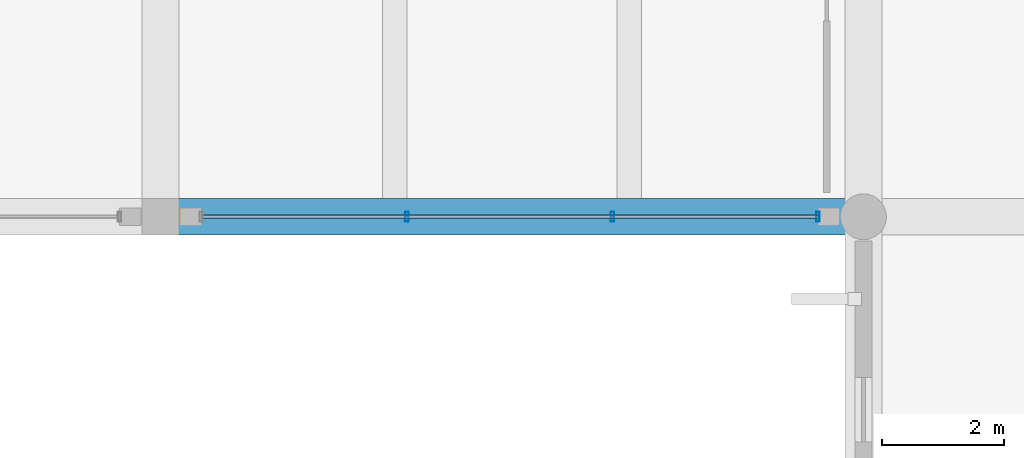
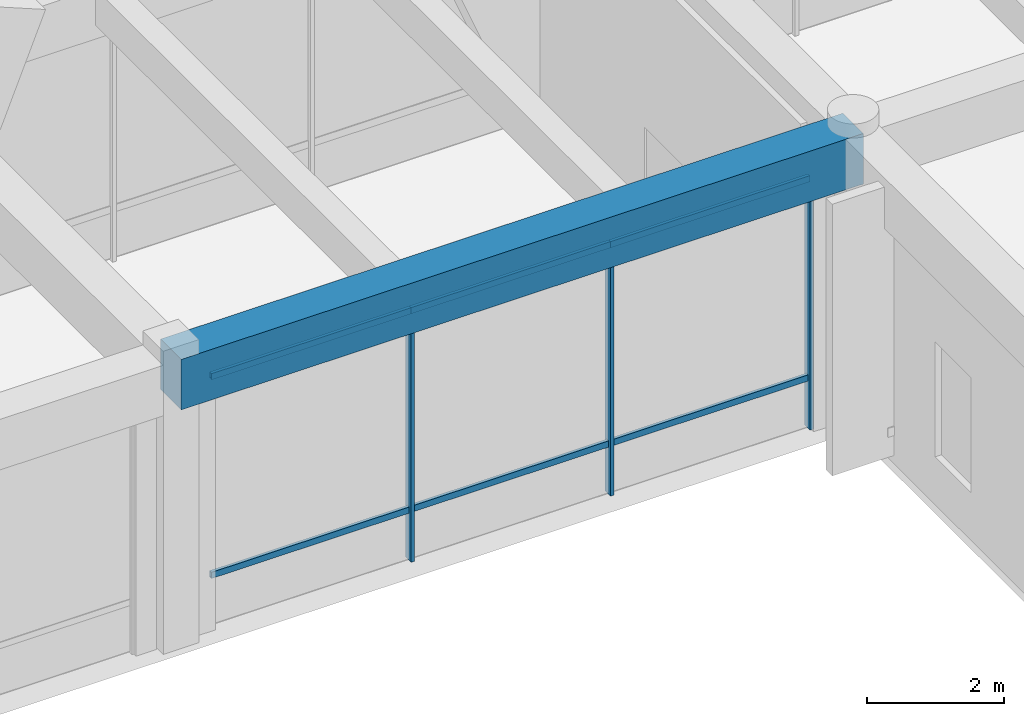
# One storey, part 19 of 148: 9 members, 1 beam, 1 element without a shape of its own.
"""IFC4 building model written with IfcOpenShell, lengths in metres."""

from ifc_helpers import new_model, si_unit, direction, frame, origin, origin_2d, place, context, subcontext, project, spatial, rectangle, hollow_rectangle, extrude, material, material_profile, profile_set, type_object, element, aggregate, save


model = new_model("IFC4")

# Units and contexts
model_context = context("Model", 3, precision=1e-05, world=origin(), true_north=direction((0.0, 1.0)))
body_context = subcontext(model_context, "Body", "Model", "MODEL_VIEW")
ifc_project = project(units=[si_unit("LENGTHUNIT", "METRE"), si_unit("AREAUNIT", "SQUARE_METRE"), si_unit("VOLUMEUNIT", "CUBIC_METRE"), si_unit("PLANEANGLEUNIT", "RADIAN"), si_unit("MASSUNIT", "GRAM", prefix="KILO")], contexts=[model_context])

# Site, building, storey
site_placement = place(None, origin())
site = spatial("IfcSite", under=ifc_project, at=site_placement, CompositionType="ELEMENT")
building_placement = place(site_placement, origin())
building = spatial("IfcBuilding", under=site, at=building_placement, Name="Ologun Quay Terminus", CompositionType="ELEMENT")
storey_placement = place(building_placement, frame((0.0, 0.0, 8.39990234375)))
storey = spatial("IfcBuildingStorey", under=building, at=storey_placement, Name="L02", CompositionType="ELEMENT", Elevation=8.39990234375)

# Curtain wall, members
ifc_material_1 = material(Name="Aluminium 6063-T6", Category="aluminium")
curtain_wall_type = type_object("IfcCurtainWallType", Name="Concourse Departure Curtain Wall 10700x4950", PredefinedType="USERDEFINED", material=ifc_material_1)
curtain_wall_placement = place(storey_placement, origin())
curtain_wall = element("IfcCurtainWall", 1, at=curtain_wall_placement, inside=storey, type_object=curtain_wall_type, Name="CW-05 Curtain Wall CW-L02-023", ObjectType="UNITISED CURTAIN WALL", PredefinedType="USERDEFINED")
ifc_material_2 = material(Name="Aluminium 6063-T6", Category="aluminium")
ifc_material_profile_1 = material_profile(ifc_material_2, hollow_rectangle(XDim=0.06005859375, YDim=0.159912109375, WallThickness=0.00390625, at=origin_2d()), Name="ALU 160x60x4")
ifc_profile_set_1 = profile_set([ifc_material_profile_1], Name="Aluminium 6063-T6")
member_type_1 = type_object("IfcMemberType", Name="Curtain Wall Standard Mullion 160x65", PredefinedType="MULLION", material=ifc_profile_set_1)
member_1_placement = place(storey_placement, frame((50.03173828125, 27.199951171875, 0.0), z_axis=(0.0, 0.0, 1.0), x_axis=(1.0, 0.0, 0.0)))
member_1 = element("IfcMember", 2, at=member_1_placement, type_object=member_type_1, Name="CW-L02-023 Mullion 2", PredefinedType="MULLION", context=body_context, shape_type="SweptSolid", body=[
    extrude(hollow_rectangle(XDim=0.06005859375, YDim=0.159912109375, WallThickness=0.00390625, at=origin_2d()), origin(), (0.0, 0.0, 1.0), 5.14013671875),
])
member_2_placement = place(storey_placement, frame((53.393310546875, 27.199951171875, 0.0), z_axis=(0.0, 0.0, 1.0), x_axis=(1.0, 0.0, 0.0)))
member_2 = element("IfcMember", 3, at=member_2_placement, type_object=member_type_1, Name="CW-L02-023 Mullion 3", PredefinedType="MULLION", context=body_context, shape_type="SweptSolid", body=[
    extrude(hollow_rectangle(XDim=0.06005859375, YDim=0.159912109375, WallThickness=0.00390625, at=origin_2d()), origin(), (0.0, 0.0, 1.0), 5.14013671875),
])
member_3_placement = place(storey_placement, frame((56.7548828125, 27.199951171875, 0.0), z_axis=(0.0, 0.0, 1.0), x_axis=(1.0, 0.0, 0.0)))
member_3 = element("IfcMember", 4, at=member_3_placement, type_object=member_type_1, Name="CW-L02-023 Mullion 4", PredefinedType="MULLION", context=body_context, shape_type="SweptSolid", body=[
    extrude(hollow_rectangle(XDim=0.06005859375, YDim=0.159912109375, WallThickness=0.00390625, at=origin_2d()), origin(), (0.0, 0.0, 1.0), 5.14013671875),
])
ifc_material_3 = material(Name="Aluminium 6063-T6", Category="aluminium")
ifc_material_profile_2 = material_profile(ifc_material_3, hollow_rectangle(XDim=0.054931640625, YDim=0.110107421875, WallThickness=0.00390625, at=origin_2d()), Name="ALU 110x55x4")
ifc_profile_set_2 = profile_set([ifc_material_profile_2], Name="Aluminium 6063-T6")
member_type_2 = type_object("IfcMemberType", Name="Curtain Wall Standard Transom 110x55", PredefinedType="USERDEFINED", material=ifc_profile_set_2)
member_4_placement = place(storey_placement, frame((46.669921875, 27.199951171875, 0.900146484375), z_axis=(1.0, 0.0, 0.0), x_axis=(0.0, 1.0, 0.0)))
member_4 = element("IfcMember", 5, at=member_4_placement, type_object=member_type_2, Name="CW-L02-023 Transom B1-1", ObjectType="TRANSOM", PredefinedType="USERDEFINED", context=body_context, shape_type="SweptSolid", body=[
    extrude(hollow_rectangle(XDim=0.054931640625, YDim=0.110107421875, WallThickness=0.00390625, at=origin_2d()), origin(), (0.0, 0.0, 1.0), 3.36181640625),
])
member_5_placement = place(storey_placement, frame((46.669921875, 27.199951171875, 4.440185546875), z_axis=(1.0, 0.0, 0.0), x_axis=(0.0, 1.0, 0.0)))
member_5 = element("IfcMember", 6, at=member_5_placement, type_object=member_type_2, Name="CW-L02-023 Transom B1-2", ObjectType="TRANSOM", PredefinedType="USERDEFINED", context=body_context, shape_type="SweptSolid", body=[
    extrude(hollow_rectangle(XDim=0.054931640625, YDim=0.110107421875, WallThickness=0.00390625, at=origin_2d()), origin(), (0.0, 0.0, 1.0), 3.36181640625),
])
member_6_placement = place(storey_placement, frame((50.03173828125, 27.199951171875, 0.900146484375), z_axis=(1.0, 0.0, 0.0), x_axis=(0.0, 1.0, 0.0)))
member_6 = element("IfcMember", 7, at=member_6_placement, type_object=member_type_2, Name="CW-L02-023 Transom B2-1", ObjectType="TRANSOM", PredefinedType="USERDEFINED", context=body_context, shape_type="SweptSolid", body=[
    extrude(hollow_rectangle(XDim=0.054931640625, YDim=0.110107421875, WallThickness=0.00390625, at=origin_2d()), origin(), (0.0, 0.0, 1.0), 3.361572265625),
])
member_7_placement = place(storey_placement, frame((50.03173828125, 27.199951171875, 4.440185546875), z_axis=(1.0, 0.0, 0.0), x_axis=(0.0, 1.0, 0.0)))
member_7 = element("IfcMember", 8, at=member_7_placement, type_object=member_type_2, Name="CW-L02-023 Transom B2-2", ObjectType="TRANSOM", PredefinedType="USERDEFINED", context=body_context, shape_type="SweptSolid", body=[
    extrude(hollow_rectangle(XDim=0.054931640625, YDim=0.110107421875, WallThickness=0.00390625, at=origin_2d()), origin(), (0.0, 0.0, 1.0), 3.361572265625),
])
member_8_placement = place(storey_placement, frame((53.393310546875, 27.199951171875, 0.900146484375), z_axis=(1.0, 0.0, 0.0), x_axis=(0.0, 1.0, 0.0)))
member_8 = element("IfcMember", 9, at=member_8_placement, type_object=member_type_2, Name="CW-L02-023 Transom B3-1", ObjectType="TRANSOM", PredefinedType="USERDEFINED", context=body_context, shape_type="SweptSolid", body=[
    extrude(hollow_rectangle(XDim=0.054931640625, YDim=0.110107421875, WallThickness=0.00390625, at=origin_2d()), origin(), (0.0, 0.0, 1.0), 3.361572265625),
])
member_9_placement = place(storey_placement, frame((53.393310546875, 27.199951171875, 4.440185546875), z_axis=(1.0, 0.0, 0.0), x_axis=(0.0, 1.0, 0.0)))
member_9 = element("IfcMember", 10, at=member_9_placement, type_object=member_type_2, Name="CW-L02-023 Transom B3-2", ObjectType="TRANSOM", PredefinedType="USERDEFINED", context=body_context, shape_type="SweptSolid", body=[
    extrude(hollow_rectangle(XDim=0.054931640625, YDim=0.110107421875, WallThickness=0.00390625, at=origin_2d()), origin(), (0.0, 0.0, 1.0), 3.361572265625),
])
aggregate(curtain_wall, [member_1, member_2, member_3, member_4, member_5, member_6, member_7, member_8, member_9])

# Beam
ifc_material_4 = material(Name="Concrete C40/50", Category="concrete")
ifc_material_profile_3 = material_profile(ifc_material_4, rectangle(XDim=0.60009765625, YDim=0.89990234375, at=origin_2d()), Name="RC 600x900")
ifc_profile_set_3 = profile_set([ifc_material_profile_3], Name="Concrete C40/50")
beam_type = type_object("IfcBeamType", Name="Station Frame Girder 600x900", PredefinedType="BEAM", material=ifc_profile_set_3)
beam_placement = place(storey_placement, frame((46.0, 27.199951171875, 4.7001953125), z_axis=(1.0, 0.0, 0.0), x_axis=(0.0, 1.0, 0.0)))
element("IfcBeam", 11, at=beam_placement, inside=storey, type_object=beam_type, Name="B3 Beam 5/D L02", PredefinedType="BEAM", context=body_context, shape_type="SweptSolid", body=[
    extrude(rectangle(XDim=0.60009765625, YDim=0.89990234375, at=origin_2d()), origin(), (0.0, 0.0, 1.0), 11.5),
])

save(model, "model.ifc")
